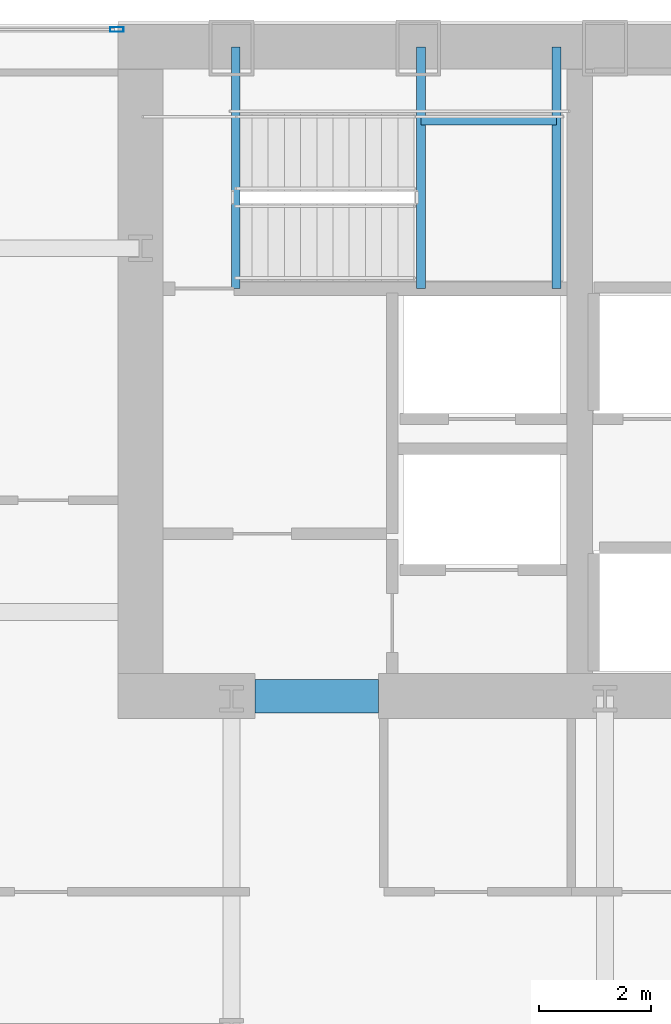
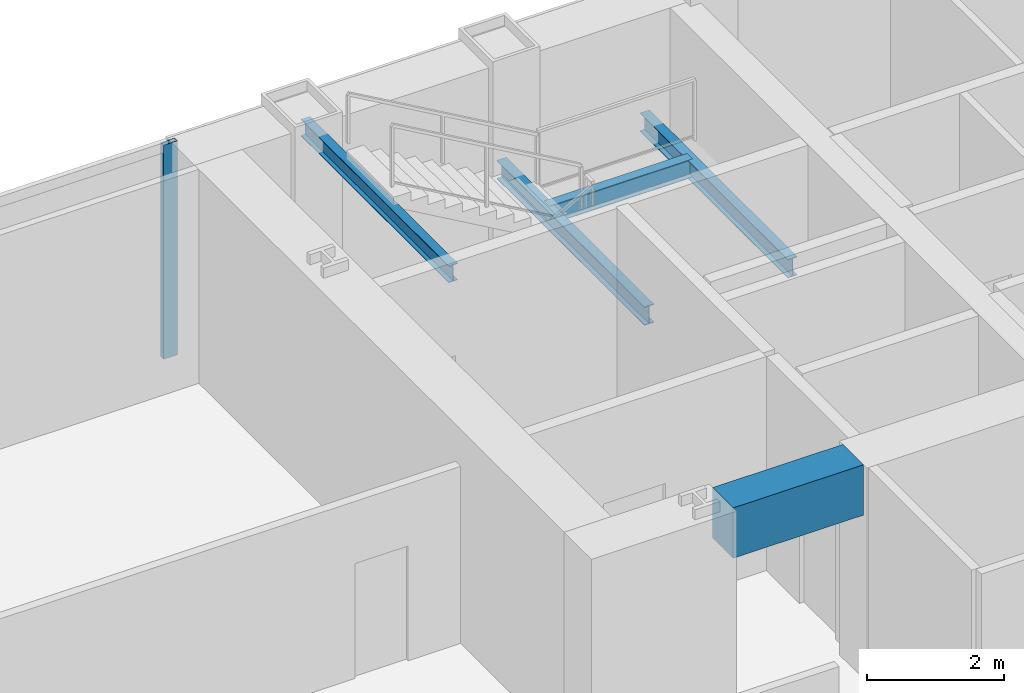
# One storey, part 18 of 32: 5 beams, 1 member, 1 element without a shape of its own.
"""IFC4 building model written with IfcOpenShell, lengths in metres."""

from ifc_helpers import new_model, si_unit, direction, frame, origin, origin_2d, place, context, subcontext, project, spatial, rectangle, hollow_rectangle, i_section, extrude, material, material_profile, profile_set, type_object, element, aggregate, save


model = new_model("IFC4")

# Units and contexts
model_context = context("Model", 3, precision=1e-05, world=origin(), true_north=direction((0.0, 1.0)))
body_context = subcontext(model_context, "Body", "Model", "MODEL_VIEW")
ifc_project = project(units=[si_unit("LENGTHUNIT", "METRE"), si_unit("AREAUNIT", "SQUARE_METRE"), si_unit("VOLUMEUNIT", "CUBIC_METRE"), si_unit("PLANEANGLEUNIT", "RADIAN"), si_unit("MASSUNIT", "GRAM", prefix="KILO")], contexts=[model_context])

# Site, building, storey
site_placement = place(None, origin())
site = spatial("IfcSite", under=ifc_project, at=site_placement, CompositionType="ELEMENT")
building_placement = place(site_placement, origin())
building = spatial("IfcBuilding", under=site, at=building_placement, Name="Khoronbel Lancet Exchange", CompositionType="ELEMENT")
storey_placement = place(building_placement, frame((0.0, 0.0, 65.800048828125)))
storey = spatial("IfcBuildingStorey", under=building, at=storey_placement, Name="L15", CompositionType="ELEMENT", Elevation=65.800048828125)

# Beams
ifc_material_1 = material(Name="Steel S355", Category="steel")
ifc_material_profile_1 = material_profile(ifc_material_1, i_section(OverallWidth=0.159912109375, OverallDepth=0.330078125, WebThickness=0.007568359375, FlangeThickness=0.011474609375, at=origin_2d()), Name="IPE 330")
ifc_profile_set_1 = profile_set([ifc_material_profile_1], Name="Steel S355")
beam_type_1 = type_object("IfcBeamType", Name="BM-BJ7", PredefinedType="JOIST", material=ifc_profile_set_1)
for number, where, z_axis, x_axis, name in (
    (1, (21.610107421875, 48.97998046875, 1.635009765625), (0.0, 1.0, 0.0), (-1.0, 0.0, 0.0), "Level L15 stair ST1 landing bearer beam 1"),
    (2, (24.030029296875, 48.97998046875, 1.635009765625), (0.0, 1.0, 0.0), (-1.0, 0.0, 0.0), "Level L15 stair ST1 rear landing bearer beam 1"),
):
    element("IfcBeam", number, at=place(storey_placement, frame(where, z_axis=z_axis, x_axis=x_axis)), inside=storey, type_object=beam_type_1, Name=name, PredefinedType="JOIST", context=body_context, shape_type="SweptSolid", body=[
        extrude(i_section(OverallWidth=0.159912109375, OverallDepth=0.330078125, WebThickness=0.007568359375, FlangeThickness=0.011474609375, at=origin_2d()), origin(), (0.0, 0.0, 1.0), 4.320068359375),
    ])
beam_1_placement = place(storey_placement, frame((21.610107421875, 51.97998046875, 1.635009765625), z_axis=(1.0, 0.0, 0.0), x_axis=(0.0, 1.0, 0.0)))
element("IfcBeam", 3, at=beam_1_placement, inside=storey, type_object=beam_type_1, Name="Level L15 stair ST1 landing cross trimmer beam 1", PredefinedType="JOIST", context=body_context, shape_type="SweptSolid", body=[
    extrude(i_section(OverallWidth=0.159912109375, OverallDepth=0.330078125, WebThickness=0.007568359375, FlangeThickness=0.011474609375, at=origin_2d()), origin(), (0.0, 0.0, 1.0), 2.419921875),
])
ifc_material_profile_2 = material_profile(ifc_material_1, i_section(OverallWidth=0.14990234375, OverallDepth=0.300048828125, WebThickness=0.007080078125, FlangeThickness=0.0107421875, at=origin_2d()), Name="IPE 300")
ifc_profile_set_2 = profile_set([ifc_material_profile_2], Name="Steel S355")
beam_type_2 = type_object("IfcBeamType", Name="BM-BJ8", PredefinedType="JOIST", material=ifc_profile_set_2)
beam_2_placement = place(storey_placement, frame((18.300048828125, 48.97998046875, 3.5400390625), z_axis=(0.0, 1.0, 0.0), x_axis=(-1.0, 0.0, 0.0)))
element("IfcBeam", 4, at=beam_2_placement, inside=storey, type_object=beam_type_2, Name="Level L15 stair ST1 upper-flight arrival trimmer beam", PredefinedType="JOIST", context=body_context, shape_type="SweptSolid", body=[
    extrude(i_section(OverallWidth=0.14990234375, OverallDepth=0.300048828125, WebThickness=0.007080078125, FlangeThickness=0.0107421875, at=origin_2d()), origin(), (0.0, 0.0, 1.0), 4.320068359375),
])
ifc_material_2 = material(Name="Concrete C80/95", Category="concrete")
ifc_material_profile_3 = material_profile(ifc_material_2, rectangle(XDim=0.60009765625, YDim=0.89990234375, at=origin_2d()), Name="RC 600x900")
ifc_profile_set_3 = profile_set([ifc_material_profile_3], Name="Concrete C80/95")
beam_type_3 = type_object("IfcBeamType", Name="BM-BL1", PredefinedType="LINTEL", material=ifc_profile_set_3)
beam_3_placement = place(storey_placement, frame((18.64990234375, 41.699951171875, 3.369873046875), z_axis=(1.0, 0.0, 0.0), x_axis=(0.0, 1.0, 0.0)))
element("IfcBeam", 5, at=beam_3_placement, inside=storey, type_object=beam_type_3, Name="Level L15 rear core coupling lintel L1", PredefinedType="LINTEL", context=body_context, shape_type="SweptSolid", body=[
    extrude(rectangle(XDim=0.60009765625, YDim=0.89990234375, at=origin_2d()), origin(), (0.0, 0.0, 1.0), 2.2001953125),
])

# Curtain wall, member
ifc_material_3 = material(Name="Low-E Solar Control Insulating Glass", Category="glass")
curtain_wall_type = type_object("IfcCurtainWallType", Name="CW-1", PredefinedType="NOTDEFINED", material=ifc_material_3)
curtain_wall_placement = place(storey_placement, origin())
curtain_wall = element("IfcCurtainWall", 6, at=curtain_wall_placement, inside=storey, type_object=curtain_wall_type, Name="Unitised curtain wall CW-L15-NWFLK", PredefinedType="NOTDEFINED")
ifc_material_4 = material(Name="Bronze-Anodised Aluminium 6063-T6", Category="aluminium")
ifc_material_profile_4 = material_profile(ifc_material_4, hollow_rectangle(XDim=0.0849609375, YDim=0.239990234375, WallThickness=0.006103515625, at=origin_2d()), Name="ALU MULLION 85x240")
ifc_profile_set_4 = profile_set([ifc_material_profile_4], Name="Bronze-Anodised Aluminium 6063-T6")
member_type = type_object("IfcMemberType", Name="MEM-CWM1", PredefinedType="MULLION", material=ifc_profile_set_4)
member_placement = place(storey_placement, frame((16.177490234375, 53.610107421875, 0.0), z_axis=(0.0, 0.0, 1.0), x_axis=(0.0, -1.0, 0.0)))
member = element("IfcMember", 7, at=member_placement, type_object=member_type, Name="CW1 mullion 1", PredefinedType="MULLION", context=body_context, shape_type="SweptSolid", body=[
    extrude(hollow_rectangle(XDim=0.0849609375, YDim=0.239990234375, WallThickness=0.006103515625, at=origin_2d()), origin(), (0.0, 0.0, 1.0), 3.820068359375),
])
aggregate(curtain_wall, [member])

save(model, "model.ifc")
